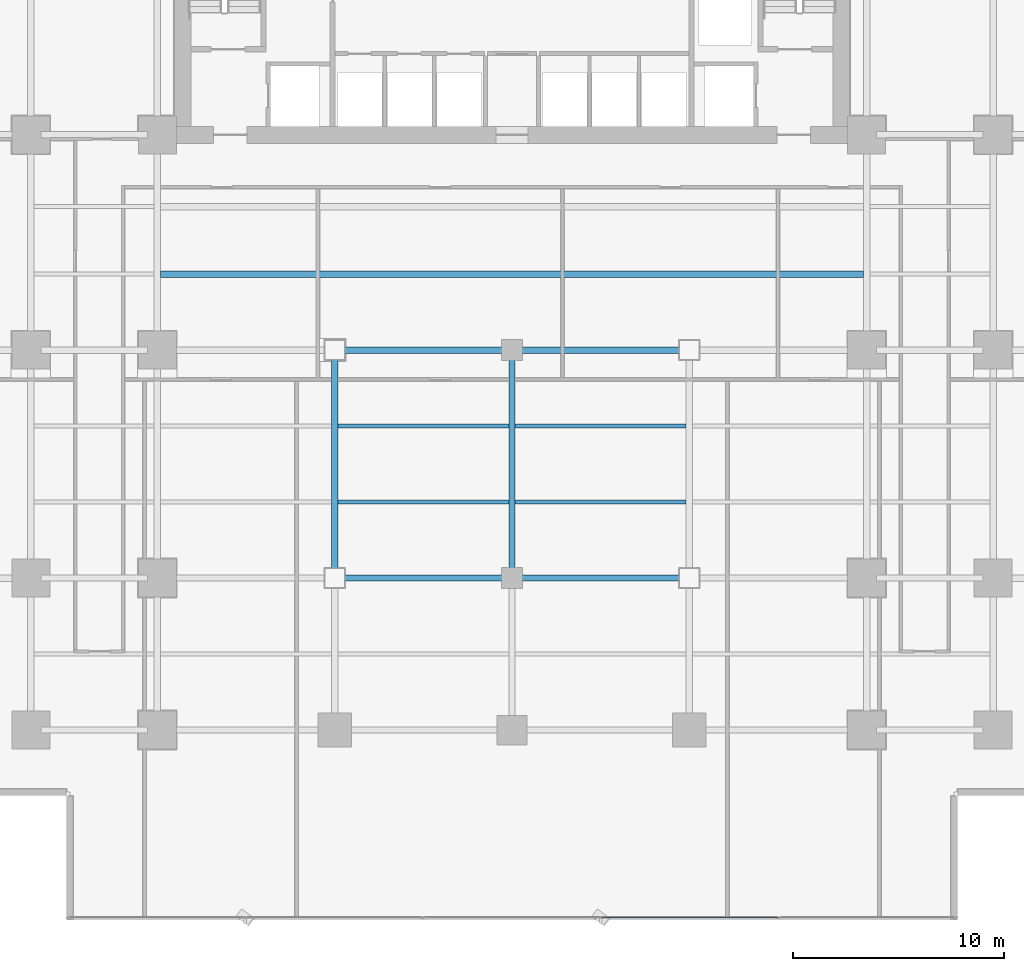
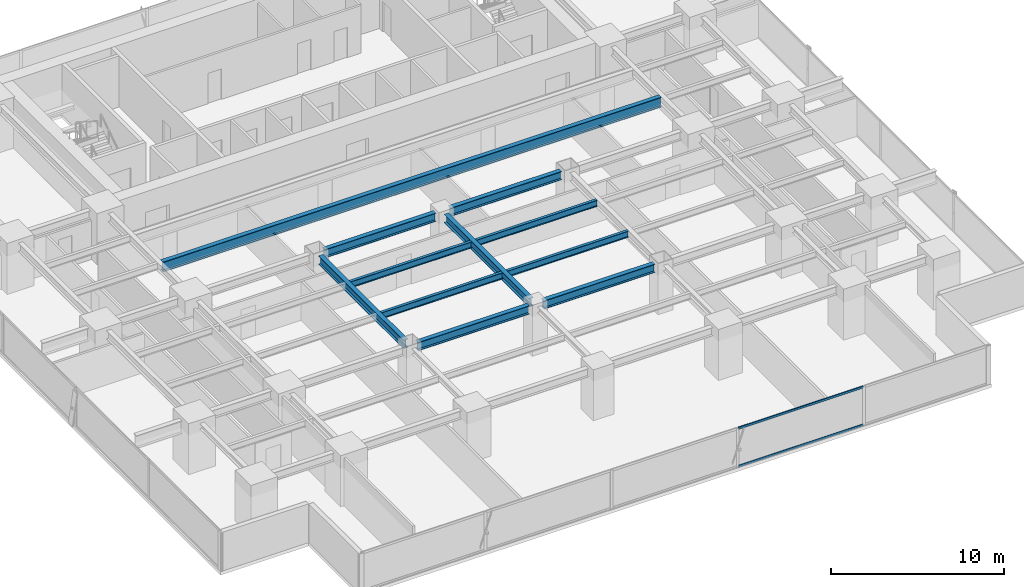
# One storey, part 10 of 32: 11 beams, 2 members, 1 element without a shape of its own.
"""IFC4 building model written with IfcOpenShell, lengths in metres."""

from ifc_helpers import new_model, si_unit, direction, frame, origin, origin_2d, place, context, subcontext, project, spatial, hollow_rectangle, i_section, extrude, source, transform, mapped, material, layer, layer_set, material_profile, profile_set, type_object, element, aggregate, save


model = new_model("IFC4")

# Units and contexts
model_context = context("Model", 3, precision=1e-05, world=origin(), true_north=direction((0.0, 1.0)))
body_context = subcontext(model_context, "Body", "Model", "MODEL_VIEW")
ifc_project = project(units=[si_unit("LENGTHUNIT", "METRE"), si_unit("AREAUNIT", "SQUARE_METRE"), si_unit("VOLUMEUNIT", "CUBIC_METRE"), si_unit("PLANEANGLEUNIT", "RADIAN"), si_unit("MASSUNIT", "GRAM", prefix="KILO")], contexts=[model_context])

# Site, building, storey
site_placement = place(None, origin())
site = spatial("IfcSite", under=ifc_project, at=site_placement, CompositionType="ELEMENT")
building_placement = place(site_placement, origin())
building = spatial("IfcBuilding", under=site, at=building_placement, Name="Sumidabori Civic Tower", CompositionType="ELEMENT")
storey_placement = place(building_placement, frame((0.0, 0.0, 45.199951171875)))
storey = spatial("IfcBuildingStorey", under=building, at=storey_placement, Name="L11", CompositionType="ELEMENT", Elevation=45.199951171875)

# Beams
ifc_material_1 = material(Name="Steel SN490", Category="steel")
ifc_material_profile_1 = material_profile(ifc_material_1, i_section(OverallWidth=0.300048828125, OverallDepth=0.60009765625, WebThickness=0.015380859375, FlangeThickness=0.030029296875, at=origin_2d()), Name="HE 600 B")
ifc_profile_set_1 = profile_set([ifc_material_profile_1], Name="Steel SN490")
beam_type_1 = type_object("IfcBeamType", Name="BM-GIRD-600", PredefinedType="BEAM", material=ifc_profile_set_1)
shared_shape_1 = source(origin(), body_context, "Body", "SweptSolid", [
    extrude(i_section(OverallWidth=0.300048828125, OverallDepth=0.60009765625, WebThickness=0.015380859375, FlangeThickness=0.030029296875, at=origin_2d()), origin(), (0.0, 0.0, 1.0), 7.43994140625),
])
for number, where, z_axis, x_axis, name in (
    (1, (-7.919921875, -10.800048828125, 3.06005859375), (1.0, 0.0, 0.0), (0.0, 1.0, 0.0), "Primary Girder L11 GX-09"),
    (2, (0.47998046875, -10.800048828125, 3.06005859375), (1.0, 0.0, 0.0), (0.0, 1.0, 0.0), "Primary Girder L11 GX-10"),
    (3, (-7.919921875, 0.0, 3.06005859375), (1.0, 0.0, 0.0), (0.0, 1.0, 0.0), "Primary Girder L11 GX-15"),
    (4, (0.47998046875, 0.0, 3.06005859375), (1.0, 0.0, 0.0), (0.0, 1.0, 0.0), "Primary Girder L11 GX-16"),
):
    element("IfcBeam", number, at=place(storey_placement, frame(where, z_axis=z_axis, x_axis=x_axis)), inside=storey, type_object=beam_type_1, Name=name, PredefinedType="BEAM", context=body_context, shape_type="MappedRepresentation", body=[
        mapped(shared_shape_1, transform((0.0, 0.0, 0.0), x_axis=(1.0, 0.0, 0.0), y_axis=(0.0, 1.0, 0.0), z_axis=(0.0, 0.0, 1.0), scale=1.0)),
    ])
shared_shape_2 = source(origin(), body_context, "Body", "SweptSolid", [
    extrude(i_section(OverallWidth=0.300048828125, OverallDepth=0.60009765625, WebThickness=0.015380859375, FlangeThickness=0.030029296875, at=origin_2d()), origin(), (0.0, 0.0, 1.0), 9.840087890625),
])
for number, where, z_axis, x_axis, name in (
    (5, (-8.39990234375, -10.320068359375, 3.06005859375), (0.0, 1.0, 0.0), (-1.0, 0.0, 0.0), "Primary Girder L11 GY-30"),
    (6, (0.0, -10.320068359375, 3.06005859375), (0.0, 1.0, 0.0), (-1.0, 0.0, 0.0), "Primary Girder L11 GY-32"),
):
    element("IfcBeam", number, at=place(storey_placement, frame(where, z_axis=z_axis, x_axis=x_axis)), inside=storey, type_object=beam_type_1, Name=name, PredefinedType="BEAM", context=body_context, shape_type="MappedRepresentation", body=[
        mapped(shared_shape_2, transform((0.0, 0.0, 0.0), x_axis=(1.0, 0.0, 0.0), y_axis=(0.0, 1.0, 0.0), z_axis=(0.0, 0.0, 1.0), scale=1.0)),
    ])
ifc_material_profile_2 = material_profile(ifc_material_1, i_section(OverallWidth=0.300048828125, OverallDepth=0.699951171875, WebThickness=0.01708984375, FlangeThickness=0.031982421875, at=origin_2d()), Name="HE 700 B")
ifc_profile_set_2 = profile_set([ifc_material_profile_2], Name="Steel SN490")
beam_type_2 = type_object("IfcBeamType", Name="BM-GIRD-700", PredefinedType="BEAM", material=ifc_profile_set_2)
shared_shape_3 = source(origin(), body_context, "Body", "SweptSolid", [
    extrude(i_section(OverallWidth=0.300048828125, OverallDepth=0.699951171875, WebThickness=0.01708984375, FlangeThickness=0.031982421875, at=origin_2d()), origin(), (0.0, 0.0, 1.0), 33.2998046875),
])
beam_placement = place(storey_placement, frame((-16.64990234375, 3.60009765625, 3.010009765625), z_axis=(1.0, 0.0, 0.0), x_axis=(0.0, 1.0, 0.0)))
element("IfcBeam", 7, at=beam_placement, inside=storey, type_object=beam_type_2, Name="North Bay Floor Beam L11 JSTN-59", PredefinedType="BEAM", context=body_context, shape_type="MappedRepresentation", body=[
    mapped(shared_shape_3, transform((0.0, 0.0, 0.0), x_axis=(1.0, 0.0, 0.0), y_axis=(0.0, 1.0, 0.0), z_axis=(0.0, 0.0, 1.0), scale=1.0)),
])
ifc_material_profile_3 = material_profile(ifc_material_1, i_section(OverallWidth=0.18994140625, OverallDepth=0.449951171875, WebThickness=0.009521484375, FlangeThickness=0.0146484375, at=origin_2d()), Name="IPE 450")
ifc_profile_set_3 = profile_set([ifc_material_profile_3], Name="Steel SN490")
beam_type_3 = type_object("IfcBeamType", Name="BM-JST-450", PredefinedType="JOIST", material=ifc_profile_set_3)
shared_shape_4 = source(origin(), body_context, "Body", "SweptSolid", [
    extrude(i_section(OverallWidth=0.18994140625, OverallDepth=0.449951171875, WebThickness=0.009521484375, FlangeThickness=0.0146484375, at=origin_2d()), origin(), (0.0, 0.0, 1.0), 8.10009765625),
])
for number, where, z_axis, x_axis, name in (
    (8, (-8.25, -7.199951171875, 3.135009765625), (1.0, 0.0, 0.0), (0.0, 1.0, 0.0), "South Bay Floor Joist L11 JSTS-66"),
    (9, (0.14990234375, -7.199951171875, 3.135009765625), (1.0, 0.0, 0.0), (0.0, 1.0, 0.0), "South Bay Floor Joist L11 JSTS-67"),
    (10, (-8.25, -3.60009765625, 3.135009765625), (1.0, 0.0, 0.0), (0.0, 1.0, 0.0), "South Bay Floor Joist L11 JSTS-70"),
    (11, (0.14990234375, -3.60009765625, 3.135009765625), (1.0, 0.0, 0.0), (0.0, 1.0, 0.0), "South Bay Floor Joist L11 JSTS-71"),
):
    element("IfcBeam", number, at=place(storey_placement, frame(where, z_axis=z_axis, x_axis=x_axis)), inside=storey, type_object=beam_type_3, Name=name, PredefinedType="JOIST", context=body_context, shape_type="MappedRepresentation", body=[
        mapped(shared_shape_4, transform((0.0, 0.0, 0.0), x_axis=(1.0, 0.0, 0.0), y_axis=(0.0, 1.0, 0.0), z_axis=(0.0, 0.0, 1.0), scale=1.0)),
    ])

# Curtain wall, members
ifc_material_2 = material(Name="Anodised Bronze Aluminium AW-6063-T6", Category="aluminium")
ifc_layer = layer(ifc_material_2, 0.179931640625, Name="Anodised Bronze Aluminium AW-6063-T6")
ifc_layer_set = layer_set([ifc_layer], Name="Anodised Bronze Aluminium AW-6063-T6")
curtain_wall_type = type_object("IfcCurtainWallType", Name="CW-SYS-2", PredefinedType="NOTDEFINED", material=ifc_layer_set)
curtain_wall_placement = place(storey_placement, origin())
curtain_wall = element("IfcCurtainWall", 12, at=curtain_wall_placement, inside=storey, type_object=curtain_wall_type, Name="Curtain Wall CW:L11:R01", PredefinedType="NOTDEFINED")
ifc_material_profile_4 = material_profile(ifc_material_2, hollow_rectangle(XDim=0.06494140625, YDim=0.14990234375, WallThickness=0.0048828125, at=origin_2d()), Name="ALU TRANSOM 150x65")
ifc_profile_set_4 = profile_set([ifc_material_profile_4], Name="Anodised Bronze Aluminium AW-6063-T6")
member_type = type_object("IfcMemberType", Name="CW-TRN-150", PredefinedType="USERDEFINED", material=ifc_profile_set_4)
shared_shape_5 = source(origin(), body_context, "Body", "SweptSolid", [
    extrude(hollow_rectangle(XDim=0.06494140625, YDim=0.14990234375, WallThickness=0.0048828125, at=origin_2d()), origin(), (0.0, 0.0, 1.0), 8.35791015625),
])
member_1_placement = place(storey_placement, frame((4.2490234375, -26.8798828125, 0.032470703125), z_axis=(1.0, 0.0, 0.0), x_axis=(0.0, 1.0, 0.0)))
member_1 = element("IfcMember", 13, at=member_1_placement, type_object=member_type, Name="CW-2 transom 4.1", ObjectType="TRANSOM", PredefinedType="USERDEFINED", context=body_context, shape_type="MappedRepresentation", body=[
    mapped(shared_shape_5, transform((0.0, 0.0, 0.0), x_axis=(1.0, 0.0, 0.0), y_axis=(0.0, 1.0, 0.0), z_axis=(0.0, 0.0, 1.0), scale=1.0)),
])
member_2_placement = place(storey_placement, frame((4.2490234375, -26.8798828125, 2.70751953125), z_axis=(1.0, 0.0, 0.0), x_axis=(0.0, 1.0, 0.0)))
member_2 = element("IfcMember", 14, at=member_2_placement, type_object=member_type, Name="CW-2 transom 4.2", ObjectType="TRANSOM", PredefinedType="USERDEFINED", context=body_context, shape_type="MappedRepresentation", body=[
    mapped(shared_shape_5, transform((0.0, 0.0, 0.0), x_axis=(1.0, 0.0, 0.0), y_axis=(0.0, 1.0, 0.0), z_axis=(0.0, 0.0, 1.0), scale=1.0)),
])
aggregate(curtain_wall, [member_1, member_2])

save(model, "model.ifc")
